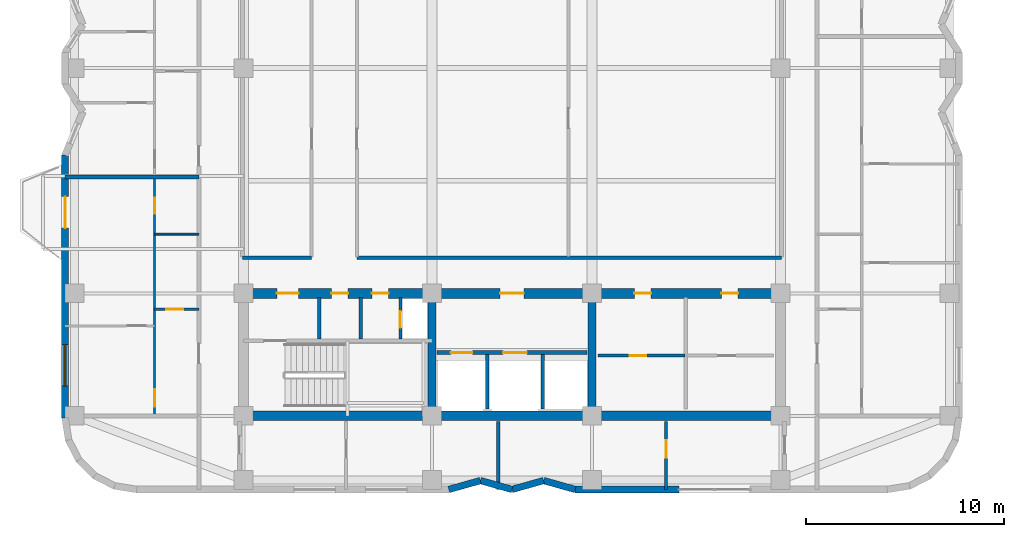
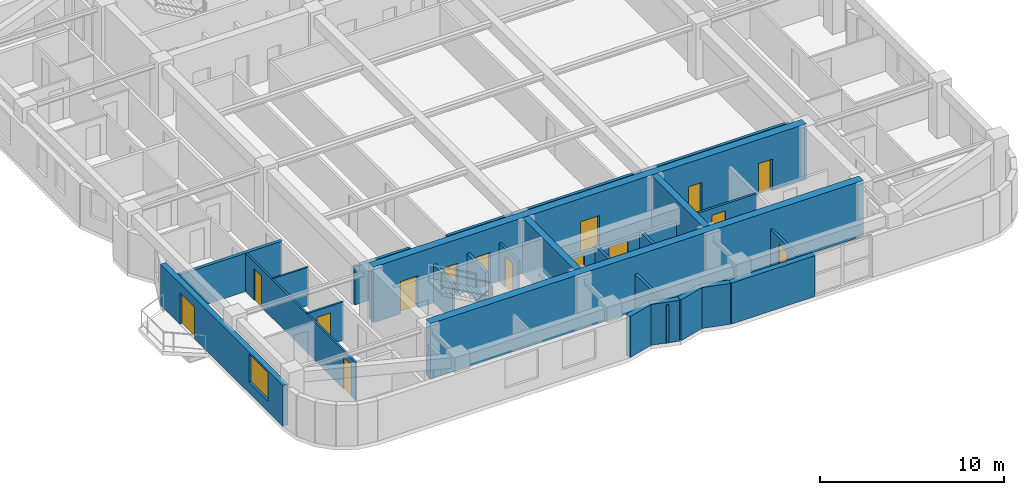
# One storey, part 5 of 12: 25 walls, 15 doors, 1 window, 16 openings.
"""IFC4 building model written with IfcOpenShell, lengths in metres."""

import ifcopenshell
import ifcopenshell.guid

model = None  # the IFC model being written
_history = None  # IfcOwnerHistory: only IFC2X3 demands one
_inside = {}  # id of a spatial element -> (the spatial element, [elements in it])
_under = {}  # id of a project, library or spatial element -> (it, [spatial elements below it])
_declared = {}  # id of a project -> (the project, [libraries it declares])
_typed = {}  # id of a type object -> (the type object, [elements of that type])
_made_of = {}  # id of a material, layer set ... -> (it, [elements and type objects made of it])


def new_model(schema):
    """Start an empty IFC model of exactly this schema.

    Asked for "IFC4X3", IfcOpenShell would pick the latest addendum, in which some entities
    have other attributes; the version numbers below select the first issue.
    IFC2X3 requires an IfcOwnerHistory on every rooted entity: one is made here for all.
    """
    global model, _history
    if schema == "IFC4X3":
        model = ifcopenshell.file(schema_version=(4, 3, 0, 0))
    else:
        model = ifcopenshell.file(schema=schema)
    _inside.clear()
    _under.clear()
    _declared.clear()
    _typed.clear()
    _made_of.clear()
    _history = None
    if model.schema == "IFC2X3":
        org = make("IfcOrganization", Name="unknown")
        user = make(
            "IfcPersonAndOrganization",
            ThePerson=make("IfcPerson", FamilyName="unknown"),
            TheOrganization=org,
        )
        app = make(
            "IfcApplication",
            ApplicationDeveloper=org,
            Version="unknown",
            ApplicationFullName="unknown",
            ApplicationIdentifier="unknown",
        )
        _history = make(
            "IfcOwnerHistory",
            OwningUser=user,
            OwningApplication=app,
            ChangeAction="ADDED",
            CreationDate=0,
        )
    return model


def make(cls, **values):
    """One entity of the class cls with the attributes given. An attribute that is None is left unset."""
    return model.create_entity(
        cls, **{name: value for name, value in values.items() if value is not None}
    )


def rooted(cls, **values):
    """An entity with a GlobalId (a new one), such as an element, a storey or a relation."""
    return make(cls, GlobalId=ifcopenshell.guid.new(), OwnerHistory=_history, **values)


def si_unit(unit_type, name, prefix=None):
    """IfcSIUnit, for example si_unit("LENGTHUNIT", "METRE", prefix="MILLI")."""
    return make("IfcSIUnit", UnitType=unit_type, Prefix=prefix, Name=name)


def assignment(units):
    """IfcUnitAssignment: the units of a project."""
    return None if units is None else make("IfcUnitAssignment", Units=units)


def point(xyz):
    """IfcCartesianPoint."""
    return None if xyz is None else make("IfcCartesianPoint", Coordinates=xyz)


def direction(xyz):
    """IfcDirection."""
    return None if xyz is None else make("IfcDirection", DirectionRatios=xyz)


def frame(location, z_axis=None, x_axis=None):
    """IfcAxis2Placement3D, a coordinate frame: its origin and axes. An axis left out is left unset."""
    return make(
        "IfcAxis2Placement3D",
        Location=point(location),
        Axis=direction(z_axis),
        RefDirection=direction(x_axis),
    )


def frame_2d(location, x_axis=None):
    """IfcAxis2Placement2D, a coordinate frame in the plane: its origin and x axis."""
    return make(
        "IfcAxis2Placement2D", Location=point(location), RefDirection=direction(x_axis)
    )


def origin():
    """The frame at (0, 0, 0) with its axes left unset."""
    return frame((0.0, 0.0, 0.0))


def place(relative_to, where):
    """IfcLocalPlacement: puts the frame where relative to a parent placement (None: the world)."""
    return make(
        "IfcLocalPlacement", PlacementRelTo=relative_to, RelativePlacement=where
    )


def context(
    kind, dimensions, precision=None, world=None, true_north=None, identifier=None
):
    """IfcGeometricRepresentationContext, for example the 3D "Model" context."""
    return make(
        "IfcGeometricRepresentationContext",
        ContextIdentifier=identifier,
        ContextType=kind,
        CoordinateSpaceDimension=dimensions,
        Precision=precision,
        WorldCoordinateSystem=world,
        TrueNorth=true_north,
    )


def subcontext(parent, identifier, kind, view, scale=None):
    """IfcGeometricRepresentationSubContext, for example "Body" below "Model"."""
    return make(
        "IfcGeometricRepresentationSubContext",
        ContextIdentifier=identifier,
        ContextType=kind,
        ParentContext=parent,
        TargetScale=scale,
        TargetView=view,
    )


def project(units=None, contexts=None):
    """IfcProject with its units and contexts."""
    return rooted(
        "IfcProject",
        Name="project",
        RepresentationContexts=contexts,
        UnitsInContext=assignment(units),
    )


def spatial(cls, under=None, at=None, **own):
    """A site, building, storey or space (cls), placed at a placement, below another one or the project."""
    s = rooted(cls, ObjectPlacement=at, **own)
    if under is not None:
        _under.setdefault(under.id(), (under, []))[1].append(s)
    return s


def profile(cls, at=None, kind="AREA", **sizes):
    """A parametric profile (cls). Its sizes go by their IFC names, for example OverallWidth=200.0."""
    return make(cls, ProfileType=kind, Position=at, **sizes)


def rectangle(**sizes):
    """IfcRectangleProfileDef."""
    return profile("IfcRectangleProfileDef", **sizes)


def extrude(swept, where, along, depth):
    """IfcExtrudedAreaSolid: the profile swept, set in the frame where, extruded along a direction by depth."""
    return make(
        "IfcExtrudedAreaSolid",
        SweptArea=swept,
        Position=where,
        ExtrudedDirection=direction(along),
        Depth=depth,
    )


def shape(context_of_items, identifier, shape_type, items):
    """IfcShapeRepresentation: the items that make up one representation, for example the "Body"."""
    return make(
        "IfcShapeRepresentation",
        ContextOfItems=context_of_items,
        RepresentationIdentifier=identifier,
        RepresentationType=shape_type,
        Items=items,
    )


def material(Name=None, Category=None):
    """IfcMaterial."""
    return make("IfcMaterial", Name=Name, Category=Category)


def layer(
    of_material, thickness, ventilated=None, Name=None, Category=None, Priority=None
):
    """IfcMaterialLayer: one layer of a wall or slab, of a material (None: an air gap)."""
    return make(
        "IfcMaterialLayer",
        Material=of_material,
        LayerThickness=thickness,
        IsVentilated=ventilated,
        Name=Name,
        Category=Category,
        Priority=Priority,
    )


def layer_set(layers, Name=None):
    """IfcMaterialLayerSet."""
    return make("IfcMaterialLayerSet", MaterialLayers=layers, LayerSetName=Name)


def made_of(thing, what):
    """Note that an element or type object is made of a material, layer set ...; save() writes the relation."""
    if what is not None:
        _made_of.setdefault(what.id(), (what, []))[1].append(thing)
    return thing


def type_object(cls, material=None, **own):
    """A type object (cls), such as IfcWallType, which elements share."""
    return made_of(rooted(cls, **own), material)


def element(
    cls,
    number,
    at=None,
    inside=None,
    cuts=None,
    type_object=None,
    material=None,
    context=None,
    identifier="Body",
    shape_type=None,
    held_by="IfcProductDefinitionShape",
    body=None,
    shapes=None,
    **own,
):
    """One element of the class cls, such as IfcWall. Its Tag is "e" and its number.

    at: its placement. inside: the storey or other place that contains it. cuts: it is an
    opening in that element (IfcRelVoidsElement). A single representation is given by context,
    identifier, shape_type and body (its items); several are given by shapes. held_by: the class
    of the entity that holds the representations. save() writes the other relations.
    """
    e = rooted(cls, Tag="e%d" % number, ObjectPlacement=at, **own)
    if body is not None:
        shapes = [shape(context, identifier, shape_type, body)]
    if shapes is not None:
        e.Representation = make(held_by, Representations=shapes)
    if inside is not None:
        _inside.setdefault(inside.id(), (inside, []))[1].append(e)
    if cuts is not None:
        rooted(
            "IfcRelVoidsElement", RelatingBuildingElement=cuts, RelatedOpeningElement=e
        )
    if type_object is not None:
        _typed.setdefault(type_object.id(), (type_object, []))[1].append(e)
    return made_of(e, material)


def fill(opening, filler):
    """IfcRelFillsElement: the door or window that sits in an opening."""
    return rooted(
        "IfcRelFillsElement",
        RelatingOpeningElement=opening,
        RelatedBuildingElement=filler,
    )


def aggregate(whole, parts):
    """IfcRelAggregates: a whole, such as a stair, and the parts it consists of."""
    return rooted("IfcRelAggregates", RelatingObject=whole, RelatedObjects=parts)


def save(model, path):
    """Write the relations noted so far, then the file.

    IfcRelAggregates (storeys below a building ...), IfcRelContainedInSpatialStructure (elements
    in a storey), IfcRelDefinesByType, IfcRelAssociatesMaterial and IfcRelDeclares: one each for
    every whole, place, type object, material and project.
    """
    for whole, parts in _under.values():
        aggregate(whole, parts)
    for where, things in _inside.values():
        rooted(
            "IfcRelContainedInSpatialStructure",
            RelatedElements=things,
            RelatingStructure=where,
        )
    for kind, things in _typed.values():
        rooted("IfcRelDefinesByType", RelatedObjects=things, RelatingType=kind)
    for what, things in _made_of.values():
        rooted("IfcRelAssociatesMaterial", RelatedObjects=things, RelatingMaterial=what)
    for by, libraries in _declared.values():
        rooted("IfcRelDeclares", RelatingContext=by, RelatedDefinitions=libraries)
    model.write(path)


model = new_model("IFC4")

# Units and contexts
model_context = context("Model", 3, precision=1e-05, world=origin(), true_north=direction((0.0, 1.0)))
body_context = subcontext(model_context, "Body", "Model", "MODEL_VIEW")
ifc_project = project(units=[si_unit("LENGTHUNIT", "METRE"), si_unit("AREAUNIT", "SQUARE_METRE"), si_unit("VOLUMEUNIT", "CUBIC_METRE"), si_unit("PLANEANGLEUNIT", "RADIAN"), si_unit("MASSUNIT", "GRAM", prefix="KILO")], contexts=[model_context])

# Site, building, storey
site_placement = place(None, origin())
site = spatial("IfcSite", under=ifc_project, at=site_placement, CompositionType="ELEMENT")
building_placement = place(site_placement, origin())
building = spatial("IfcBuilding", under=site, at=building_placement, Name="Svetorya Sky Lyceum", CompositionType="ELEMENT")
storey_placement = place(building_placement, frame((0.0, 0.0, 158.89990234375)))
storey = spatial("IfcBuildingStorey", under=building, at=storey_placement, Name="L39", CompositionType="ELEMENT", Elevation=158.89990234375)

# Walls
ifc_material_1 = material(Name="Concrete C40/50", Category="concrete")
ifc_layer_1 = layer(ifc_material_1, 0.39990234375)
ifc_layer_set_1 = layer_set([ifc_layer_1], Name="Concrete C40/50")
wall_type_1 = type_object("IfcWallType", Name="WL-CORE-400", PredefinedType="SHEAR", material=ifc_layer_set_1)
for number, where, z_axis, x_axis, name in (
    (1, (35.14990234375, 10.85009765625, 0.0), (0.0, 0.0, 1.0), (0.0, 1.0, 0.0), "L39 SC Internal Shear Web WEB1"),
    (2, (43.25, 10.85009765625, 0.0), (0.0, 0.0, 1.0), (0.0, 1.0, 0.0), "L39 SC Internal Shear Web WEB2"),
):
    element("IfcWall", number, at=place(storey_placement, frame(where, z_axis=z_axis, x_axis=x_axis)), inside=storey, type_object=wall_type_1, Name=name, PredefinedType="SHEAR", context=body_context, shape_type="SweptSolid", body=[
        extrude(rectangle(XDim=5.699951171875, YDim=0.39990234375, at=frame_2d((2.85009765625, 0.0))), origin(), (0.0, 0.0, 1.0), 3.7001953125),
    ])
ifc_material_2 = material(Name="Concrete C50/60", Category="concrete")
ifc_layer_2 = layer(ifc_material_2, 0.5)
ifc_layer_set_2 = layer_set([ifc_layer_2], Name="Concrete C50/60")
wall_type_2 = type_object("IfcWallType", Name="WL-CORE-500", PredefinedType="SHEAR", material=ifc_layer_set_2)
wall_1_placement = place(storey_placement, frame((52.800048828125, 10.60009765625, 0.0), z_axis=(0.0, 0.0, 1.0), x_axis=(-1.0, 0.0, 0.0)))
element("IfcWall", 3, at=wall_1_placement, inside=storey, type_object=wall_type_2, Name="L39 SC Outer Core Shear Wall", PredefinedType="SHEAR", context=body_context, shape_type="SweptSolid", body=[
    extrude(rectangle(XDim=27.199951171875, YDim=0.5, at=frame_2d((13.60009765625, 0.0))), origin(), (0.0, 0.0, 1.0), 3.7001953125),
])

# Wall, openings, doors
wall_2_placement = place(storey_placement, frame((25.60009765625, 16.800048828125, 0.0), z_axis=(0.0, 0.0, 1.0), x_axis=(1.0, 0.0, 0.0)))
wall_2 = element("IfcWall", 4, at=wall_2_placement, inside=storey, type_object=wall_type_2, Name="L39 SC Inner Core Shear Wall", PredefinedType="SHEAR", context=body_context, shape_type="SweptSolid", body=[
    extrude(rectangle(XDim=27.199951171875, YDim=0.5, at=frame_2d((13.60009765625, 0.0))), origin(), (0.0, 0.0, 1.0), 3.7001953125),
])
opening_1_placement = place(wall_2_placement, frame((1.699951171875, 0.0, 0.0)))
opening_1 = element("IfcOpeningElement", 5, at=opening_1_placement, cuts=wall_2, Name="Opening D-ST1", PredefinedType="OPENING", context=body_context, shape_type="SweptSolid", body=[
    extrude(rectangle(XDim=1.10009765625, YDim=2.14990234375, at=frame_2d((0.550048828125, 1.074951171875))), frame((0.0, 0.260009765625, 0.0), z_axis=(0.0, -1.0, 0.0), x_axis=(1.0, 0.0, 0.0)), (0.0, 0.0, 1.0), 0.52001953125),
])
opening_2_placement = place(wall_2_placement, frame((4.449951171875, 0.0, 0.0)))
opening_2 = element("IfcOpeningElement", 6, at=opening_2_placement, cuts=wall_2, Name="Opening D-CWC1", PredefinedType="OPENING", context=body_context, shape_type="SweptSolid", body=[
    extrude(rectangle(XDim=0.85009765625, YDim=2.10009765625, at=frame_2d((0.425048828125, 1.050048828125))), frame((0.0, 0.260009765625, 0.0), z_axis=(0.0, -1.0, 0.0), x_axis=(1.0, 0.0, 0.0)), (0.0, 0.0, 1.0), 0.52001953125),
])
opening_3_placement = place(wall_2_placement, frame((6.5, 0.0, 0.0)))
opening_3 = element("IfcOpeningElement", 7, at=opening_3_placement, cuts=wall_2, Name="Opening D-CWC1", PredefinedType="OPENING", context=body_context, shape_type="SweptSolid", body=[
    extrude(rectangle(XDim=0.85009765625, YDim=2.10009765625, at=frame_2d((0.425048828125, 1.050048828125))), frame((0.0, 0.260009765625, 0.0), z_axis=(0.0, -1.0, 0.0), x_axis=(1.0, 0.0, 0.0)), (0.0, 0.0, 1.0), 0.52001953125),
])
opening_4_placement = place(wall_2_placement, frame((13.0, 0.0, 0.0)))
opening_4 = element("IfcOpeningElement", 8, at=opening_4_placement, cuts=wall_2, Name="Opening D-FL1", PredefinedType="OPENING", context=body_context, shape_type="SweptSolid", body=[
    extrude(rectangle(XDim=1.199951171875, YDim=2.14990234375, at=frame_2d((0.60009765625, 1.074951171875))), frame((0.0, 0.260009765625, 0.0), z_axis=(0.0, -1.0, 0.0), x_axis=(1.0, 0.0, 0.0)), (0.0, 0.0, 1.0), 0.52001953125),
])
opening_5_placement = place(wall_2_placement, frame((19.800048828125, 0.0, 0.0)))
opening_5 = element("IfcOpeningElement", 9, at=opening_5_placement, cuts=wall_2, Name="Opening D-CWC1", PredefinedType="OPENING", context=body_context, shape_type="SweptSolid", body=[
    extrude(rectangle(XDim=0.85009765625, YDim=2.10009765625, at=frame_2d((0.425048828125, 1.050048828125))), frame((0.0, 0.260009765625, 0.0), z_axis=(0.0, -1.0, 0.0), x_axis=(1.0, 0.0, 0.0)), (0.0, 0.0, 1.0), 0.52001953125),
])
opening_6_placement = place(wall_2_placement, frame((24.199951171875, 0.0, 0.0)))
opening_6 = element("IfcOpeningElement", 10, at=opening_6_placement, cuts=wall_2, Name="Opening D-CWC1", PredefinedType="OPENING", context=body_context, shape_type="SweptSolid", body=[
    extrude(rectangle(XDim=0.85009765625, YDim=2.10009765625, at=frame_2d((0.425048828125, 1.050048828125))), frame((0.0, 0.260009765625, 0.0), z_axis=(0.0, -1.0, 0.0), x_axis=(1.0, 0.0, 0.0)), (0.0, 0.0, 1.0), 0.52001953125),
])
ifc_material_3 = material(Name="Fire-rated galvanized steel core service closet door", Category="steel")
door_type_1 = type_object("IfcDoorType", Name="DR-CWET-850", OperationType="SINGLE_SWING_LEFT", PredefinedType="DOOR", material=ifc_material_3)
door_1_placement = place(opening_2_placement, origin())
door_1 = element("IfcDoor", 11, at=door_1_placement, inside=storey, type_object=door_type_1, Name="L39 South Mop Closet Door", OperationType="SINGLE_SWING_LEFT", OverallHeight=2.10009765625, OverallWidth=0.85009765625, PredefinedType="DOOR", context=body_context, shape_type="SweptSolid", body=[
    extrude(rectangle(XDim=0.85009765625, YDim=2.10009765625, at=frame_2d((0.425048828125, 1.050048828125))), frame((0.0, 0.02490234375, 0.0), z_axis=(0.0, -1.0, 0.0), x_axis=(1.0, 0.0, 0.0)), (0.0, 0.0, 1.0), 0.050048828125),
])
fill(opening_2, door_1)
door_2_placement = place(opening_3_placement, origin())
door_2 = element("IfcDoor", 12, at=door_2_placement, inside=storey, type_object=door_type_1, Name="L39 South West WC Door", OperationType="SINGLE_SWING_RIGHT", OverallHeight=2.10009765625, OverallWidth=0.85009765625, PredefinedType="DOOR", context=body_context, shape_type="SweptSolid", body=[
    extrude(rectangle(XDim=0.85009765625, YDim=2.10009765625, at=frame_2d((0.425048828125, 1.050048828125))), frame((0.0, 0.02490234375, 0.0), z_axis=(0.0, -1.0, 0.0), x_axis=(1.0, 0.0, 0.0)), (0.0, 0.0, 1.0), 0.050048828125),
])
fill(opening_3, door_2)
door_3_placement = place(opening_5_placement, origin())
door_3 = element("IfcDoor", 13, at=door_3_placement, inside=storey, type_object=door_type_1, Name="L39 Housekeeping Door", OperationType="SINGLE_SWING_LEFT", OverallHeight=2.10009765625, OverallWidth=0.85009765625, PredefinedType="DOOR", context=body_context, shape_type="SweptSolid", body=[
    extrude(rectangle(XDim=0.85009765625, YDim=2.10009765625, at=frame_2d((0.425048828125, 1.050048828125))), frame((0.0, 0.02490234375, 0.0), z_axis=(0.0, -1.0, 0.0), x_axis=(1.0, 0.0, 0.0)), (0.0, 0.0, 1.0), 0.050048828125),
])
fill(opening_5, door_3)
door_4_placement = place(opening_6_placement, origin())
door_4 = element("IfcDoor", 14, at=door_4_placement, inside=storey, type_object=door_type_1, Name="L39 South WC Door", OperationType="SINGLE_SWING_RIGHT", OverallHeight=2.10009765625, OverallWidth=0.85009765625, PredefinedType="DOOR", context=body_context, shape_type="SweptSolid", body=[
    extrude(rectangle(XDim=0.85009765625, YDim=2.10009765625, at=frame_2d((0.425048828125, 1.050048828125))), frame((0.0, 0.02490234375, 0.0), z_axis=(0.0, -1.0, 0.0), x_axis=(1.0, 0.0, 0.0)), (0.0, 0.0, 1.0), 0.050048828125),
])
fill(opening_6, door_4)
ifc_material_4 = material(Name="Powder-coated insulated galvanized stair fire door")
door_type_2 = type_object("IfcDoorType", Name="DR-FIRE-1100", OperationType="SINGLE_SWING_LEFT", PredefinedType="DOOR", material=ifc_material_4)
door_5_placement = place(opening_1_placement, origin())
door_5 = element("IfcDoor", 15, at=door_5_placement, inside=storey, type_object=door_type_2, Name="L39 South Stair Airlock Door", OperationType="SINGLE_SWING_RIGHT", OverallHeight=2.14990234375, OverallWidth=1.10009765625, PredefinedType="DOOR", context=body_context, shape_type="SweptSolid", body=[
    extrude(rectangle(XDim=1.10009765625, YDim=2.14990234375, at=frame_2d((0.550048828125, 1.074951171875))), frame((0.0, 0.02490234375, 0.0), z_axis=(0.0, -1.0, 0.0), x_axis=(1.0, 0.0, 0.0)), (0.0, 0.0, 1.0), 0.050048828125),
])
fill(opening_1, door_5)
ifc_material_5 = material(Name="Powder-coated insulated galvanized fire door")
door_type_3 = type_object("IfcDoorType", Name="DR-FIRE-1200", OperationType="SINGLE_SWING_LEFT", PredefinedType="DOOR", material=ifc_material_5)
door_6_placement = place(opening_4_placement, origin())
door_6 = element("IfcDoor", 16, at=door_6_placement, inside=storey, type_object=door_type_3, Name="L39 South Firefighting Lift Lobby Door", OperationType="SINGLE_SWING_LEFT", OverallHeight=2.14990234375, OverallWidth=1.199951171875, PredefinedType="DOOR", context=body_context, shape_type="SweptSolid", body=[
    extrude(rectangle(XDim=1.199951171875, YDim=2.14990234375, at=frame_2d((0.60009765625, 1.074951171875))), frame((0.0, 0.02490234375, 0.0), z_axis=(0.0, -1.0, 0.0), x_axis=(1.0, 0.0, 0.0)), (0.0, 0.0, 1.0), 0.050048828125),
])
fill(opening_4, door_6)

# Walls
ifc_material_6 = material(Name="Putilovo limestone rainscreen on autoclaved cellular masonry", Category="masonry")
ifc_layer_3 = layer(ifc_material_6, 0.340087890625)
ifc_layer_set_3 = layer_set([ifc_layer_3], Name="Putilovo limestone rainscreen on autoclaved cellular masonry")
wall_type_3 = type_object("IfcWallType", Name="WL-EXT-340", PredefinedType="SOLIDWALL", material=ifc_layer_set_3)
wall_3_placement = place(storey_placement, frame((36.0, 6.8701171875, 0.0), z_axis=(0.0, 0.0, 1.0), x_axis=(0.962662902433, 0.270703040766, 0.0)))
element("IfcWall", 17, at=wall_3_placement, inside=storey, type_object=wall_type_3, Name="L39 Limestone Exterior Wall 7M", PredefinedType="SOLIDWALL", context=body_context, shape_type="SweptSolid", body=[
    extrude(rectangle(XDim=1.662109375, YDim=0.340087890625, at=frame_2d((0.8310546875, 0.0))), origin(), (0.0, 0.0, 1.0), 2.72021484375),
])
wall_4_placement = place(storey_placement, frame((37.60009765625, 7.320068359375, 0.0), z_axis=(0.0, 0.0, 1.0), x_axis=(0.962652136636, -0.270741322725, 0.0)))
element("IfcWall", 18, at=wall_4_placement, inside=storey, type_object=wall_type_3, Name="L39 Limestone Exterior Wall 8M", PredefinedType="SOLIDWALL", context=body_context, shape_type="SweptSolid", body=[
    extrude(rectangle(XDim=1.661865234375, YDim=0.340087890625, at=frame_2d((0.8310546875, 0.0))), origin(), (0.0, 0.0, 1.0), 2.72021484375),
])
wall_5_placement = place(storey_placement, frame((39.199951171875, 6.8701171875, 0.0), z_axis=(0.0, 0.0, 1.0), x_axis=(0.962662902433, 0.270703040766, 0.0)))
element("IfcWall", 19, at=wall_5_placement, inside=storey, type_object=wall_type_3, Name="L39 Limestone Exterior Wall 9M", PredefinedType="SOLIDWALL", context=body_context, shape_type="SweptSolid", body=[
    extrude(rectangle(XDim=1.662109375, YDim=0.340087890625, at=frame_2d((0.8310546875, 0.0))), origin(), (0.0, 0.0, 1.0), 2.72021484375),
])
wall_6_placement = place(storey_placement, frame((40.800048828125, 7.320068359375, 0.0), z_axis=(0.0, 0.0, 1.0), x_axis=(0.962652136636, -0.270741322725, 0.0)))
element("IfcWall", 20, at=wall_6_placement, inside=storey, type_object=wall_type_3, Name="L39 Limestone Exterior Wall 10M", PredefinedType="SOLIDWALL", context=body_context, shape_type="SweptSolid", body=[
    extrude(rectangle(XDim=1.661865234375, YDim=0.340087890625, at=frame_2d((0.8310546875, 0.0))), origin(), (0.0, 0.0, 1.0), 2.72021484375),
])
wall_7_placement = place(storey_placement, frame((42.39990234375, 6.8701171875, 0.0), z_axis=(0.0, 0.0, 1.0), x_axis=(1.0, 0.0, 0.0)))
element("IfcWall", 21, at=wall_7_placement, inside=storey, type_object=wall_type_3, Name="L39 Limestone Exterior Wall 11A", PredefinedType="SOLIDWALL", context=body_context, shape_type="SweptSolid", body=[
    extrude(rectangle(XDim=5.25, YDim=0.340087890625, at=frame_2d((2.625, 0.0))), origin(), (0.0, 0.0, 1.0), 2.72021484375),
])

# Wall, openings, door, window
wall_8_placement = place(storey_placement, frame((16.570068359375, 23.800048828125, 0.0), z_axis=(0.0, 0.0, 1.0), x_axis=(0.0, -1.0, 0.0)))
wall_8 = element("IfcWall", 22, at=wall_8_placement, inside=storey, type_object=wall_type_3, Name="L39 Limestone Exterior Wall 46M", PredefinedType="SOLIDWALL", context=body_context, shape_type="SweptSolid", body=[
    extrude(rectangle(XDim=13.300048828125, YDim=0.340087890625, at=frame_2d((6.64990234375, 0.0))), origin(), (0.0, 0.0, 1.0), 2.72021484375),
])
opening_7_placement = place(wall_8_placement, frame((2.10009765625, 0.0, 0.0)))
opening_7 = element("IfcOpeningElement", 23, at=opening_7_placement, cuts=wall_8, Name="Opening D-BL1", PredefinedType="OPENING", context=body_context, shape_type="SweptSolid", body=[
    extrude(rectangle(XDim=1.60009765625, YDim=2.10009765625, at=frame_2d((0.800048828125, 1.050048828125))), frame((0.0, 0.179931640625, 0.0), z_axis=(0.0, -1.0, 0.0), x_axis=(1.0, 0.0, 0.0)), (0.0, 0.0, 1.0), 0.360107421875),
])
opening_8_placement = place(wall_8_placement, frame((9.60009765625, 0.0, 0.699951171875)))
opening_8 = element("IfcOpeningElement", 24, at=opening_8_placement, cuts=wall_8, Name="Opening W-R0", PredefinedType="OPENING", context=body_context, shape_type="SweptSolid", body=[
    extrude(rectangle(XDim=2.10009765625, YDim=1.89990234375, at=frame_2d((1.050048828125, 0.949951171875))), frame((0.0, 0.179931640625, 0.0), z_axis=(0.0, -1.0, 0.0), x_axis=(1.0, 0.0, 0.0)), (0.0, 0.0, 1.0), 0.360107421875),
])
ifc_material_7 = material(Name="Insulated glazed aluminium balcony door", Category="aluminium")
door_type_4 = type_object("IfcDoorType", Name="DR-BAL-1600", OperationType="DOUBLE_DOOR_SINGLE_SWING", PredefinedType="DOOR", material=ifc_material_7)
door_7_placement = place(opening_7_placement, origin())
door_7 = element("IfcDoor", 25, at=door_7_placement, inside=storey, type_object=door_type_4, Name="L39 Balcony BAL-W1 Door", OperationType="DOUBLE_DOOR_SINGLE_SWING", OverallHeight=2.10009765625, OverallWidth=1.60009765625, PredefinedType="DOOR", context=body_context, shape_type="SweptSolid", body=[
    extrude(rectangle(XDim=1.60009765625, YDim=2.10009765625, at=frame_2d((0.800048828125, 1.050048828125))), frame((0.0, 0.02490234375, 0.0), z_axis=(0.0, -1.0, 0.0), x_axis=(1.0, 0.0, 0.0)), (0.0, 0.0, 1.0), 0.050048828125),
])
fill(opening_7, door_7)
ifc_material_8 = material(Name="Thermally broken aluminium frame with triple low-E glazing", Category="aluminium")
window_type = type_object("IfcWindowType", Name="WN-RES-210", PartitioningType="TRIPLE_PANEL_VERTICAL", PredefinedType="WINDOW", material=ifc_material_8)
window_placement = place(opening_8_placement, origin())
window = element("IfcWindow", 26, at=window_placement, inside=storey, type_object=window_type, Name="L39 Facade Window W-R0.46M.1", OverallHeight=1.89990234375, OverallWidth=2.10009765625, PartitioningType="SINGLE_PANEL", PredefinedType="WINDOW", context=body_context, shape_type="SweptSolid", body=[
    extrude(rectangle(XDim=2.10009765625, YDim=1.89990234375, at=frame_2d((1.050048828125, 0.949951171875))), frame((0.0, 0.030029296875, 0.0), z_axis=(0.0, -1.0, 0.0), x_axis=(1.0, 0.0, 0.0)), (0.0, 0.0, 1.0), 0.06005859375),
])
fill(opening_8, window)

# Wall
ifc_material_9 = material(Name="Galvanized stud partition with moisture-resistant board", Category="gypsum")
ifc_layer_4 = layer(ifc_material_9, 0.10009765625)
ifc_layer_set_4 = layer_set([ifc_layer_4], Name="Galvanized stud partition with moisture-resistant board")
wall_type_4 = type_object("IfcWallType", Name="WL-PART-100", PredefinedType="PARTITIONING", material=ifc_layer_set_4)
wall_9_placement = place(storey_placement, frame((21.10009765625, 19.800048828125, 0.0), z_axis=(0.0, 0.0, 1.0), x_axis=(1.0, 0.0, 0.0)))
element("IfcWall", 27, at=wall_9_placement, inside=storey, type_object=wall_type_4, Name="L39 Interior Partition W1-WH2", PredefinedType="PARTITIONING", context=body_context, shape_type="SweptSolid", body=[
    extrude(rectangle(XDim=2.25, YDim=0.10009765625, at=frame_2d((1.125, 0.0))), origin(), (0.0, 0.0, 1.0), 2.550048828125),
])

# Wall, opening, door
ifc_material_10 = material(Name="Twin-stud galvanized framing with double fireboard", Category="gypsum")
ifc_layer_5 = layer(ifc_material_10, 0.1201171875)
ifc_layer_set_5 = layer_set([ifc_layer_5], Name="Twin-stud galvanized framing with double fireboard")
wall_type_5 = type_object("IfcWallType", Name="WL-PART-120", PredefinedType="PARTITIONING", material=ifc_layer_set_5)
wall_10_placement = place(storey_placement, frame((21.10009765625, 16.0, 0.0), z_axis=(0.0, 0.0, 1.0), x_axis=(1.0, 0.0, 0.0)))
wall_10 = element("IfcWall", 28, at=wall_10_placement, inside=storey, type_object=wall_type_5, Name="L39 Interior Partition W1-WH1", PredefinedType="PARTITIONING", context=body_context, shape_type="SweptSolid", body=[
    extrude(rectangle(XDim=2.25, YDim=0.1201171875, at=frame_2d((1.125, 0.0))), origin(), (0.0, 0.0, 1.0), 2.550048828125),
])
opening_9_placement = place(wall_10_placement, frame((0.60009765625, 0.0, 0.0)))
opening_9 = element("IfcOpeningElement", 29, at=opening_9_placement, cuts=wall_10, Name="Opening D-BT1", PredefinedType="OPENING", context=body_context, shape_type="SweptSolid", body=[
    extrude(rectangle(XDim=0.85009765625, YDim=2.10009765625, at=frame_2d((0.425048828125, 1.050048828125))), frame((0.0, 0.070068359375, 0.0), z_axis=(0.0, -1.0, 0.0), x_axis=(1.0, 0.0, 0.0)), (0.0, 0.0, 1.0), 0.14013671875),
])
ifc_material_11 = material(Name="Moisture-resistant laminate bathroom door")
door_type_5 = type_object("IfcDoorType", Name="DR-WET-850", OperationType="SINGLE_SWING_LEFT", PredefinedType="DOOR", material=ifc_material_11)
door_8_placement = place(opening_9_placement, origin())
door_8 = element("IfcDoor", 30, at=door_8_placement, inside=storey, type_object=door_type_5, Name="Apartment W1 Bathroom Door", OperationType="SINGLE_SWING_LEFT", OverallHeight=2.10009765625, OverallWidth=0.85009765625, PredefinedType="DOOR", context=body_context, shape_type="SweptSolid", body=[
    extrude(rectangle(XDim=0.85009765625, YDim=2.10009765625, at=frame_2d((0.425048828125, 1.050048828125))), frame((0.0, 0.02490234375, 0.0), z_axis=(0.0, -1.0, 0.0), x_axis=(1.0, 0.0, 0.0)), (0.0, 0.0, 1.0), 0.050048828125),
])
fill(opening_9, door_8)

# Wall, openings, doors
wall_11_placement = place(storey_placement, frame((21.10009765625, 10.639892578125, 0.0), z_axis=(0.0, 0.0, 1.0), x_axis=(0.0, 1.0, 0.0)))
wall_11 = element("IfcWall", 31, at=wall_11_placement, inside=storey, type_object=wall_type_5, Name="L39 Interior Partition W1-WV", PredefinedType="PARTITIONING", context=body_context, shape_type="SweptSolid", body=[
    extrude(rectangle(XDim=12.02001953125, YDim=0.1201171875, at=frame_2d((6.010009765625, 0.0))), origin(), (0.0, 0.0, 1.0), 2.550048828125),
])
opening_10_placement = place(wall_11_placement, frame((0.409912109375, 0.0, 0.0)))
opening_10 = element("IfcOpeningElement", 32, at=opening_10_placement, cuts=wall_11, Name="Opening D-RM1", PredefinedType="OPENING", context=body_context, shape_type="SweptSolid", body=[
    extrude(rectangle(XDim=0.89990234375, YDim=2.10009765625, at=frame_2d((0.449951171875, 1.050048828125))), frame((0.0, 0.070068359375, 0.0), z_axis=(0.0, -1.0, 0.0), x_axis=(1.0, 0.0, 0.0)), (0.0, 0.0, 1.0), 0.14013671875),
])
opening_11_placement = place(wall_11_placement, frame((10.18505859375, 0.0, 0.0)))
opening_11 = element("IfcOpeningElement", 33, at=opening_11_placement, cuts=wall_11, Name="Opening D-BT2", PredefinedType="OPENING", context=body_context, shape_type="SweptSolid", body=[
    extrude(rectangle(XDim=0.820068359375, YDim=2.080078125, at=frame_2d((0.41015625, 1.0400390625))), frame((0.0, 0.070068359375, 0.0), z_axis=(0.0, -1.0, 0.0), x_axis=(1.0, 0.0, 0.0)), (0.0, 0.0, 1.0), 0.14013671875),
])
ifc_material_12 = material(Name="Lacquered birch veneer internal door")
door_type_6 = type_object("IfcDoorType", Name="DR-INT-900", OperationType="SINGLE_SWING_LEFT", PredefinedType="DOOR", material=ifc_material_12)
door_9_placement = place(opening_10_placement, origin())
door_9 = element("IfcDoor", 34, at=door_9_placement, inside=storey, type_object=door_type_6, Name="Apartment W1 Living Door", OperationType="SINGLE_SWING_RIGHT", OverallHeight=2.10009765625, OverallWidth=0.89990234375, PredefinedType="DOOR", context=body_context, shape_type="SweptSolid", body=[
    extrude(rectangle(XDim=0.89990234375, YDim=2.10009765625, at=frame_2d((0.449951171875, 1.050048828125))), frame((0.0, 0.02490234375, 0.0), z_axis=(0.0, -1.0, 0.0), x_axis=(1.0, 0.0, 0.0)), (0.0, 0.0, 1.0), 0.050048828125),
])
fill(opening_10, door_9)
ifc_material_13 = material(Name="Compact moisture-resistant laminate closet door")
door_type_7 = type_object("IfcDoorType", Name="DR-WET-820", OperationType="SINGLE_SWING_LEFT", PredefinedType="DOOR", material=ifc_material_13)
door_10_placement = place(opening_11_placement, origin())
door_10 = element("IfcDoor", 35, at=door_10_placement, inside=storey, type_object=door_type_7, Name="Apartment W1 Study Door", OperationType="SINGLE_SWING_LEFT", OverallHeight=2.080078125, OverallWidth=0.820068359375, PredefinedType="DOOR", context=body_context, shape_type="SweptSolid", body=[
    extrude(rectangle(XDim=0.820068359375, YDim=2.080078125, at=frame_2d((0.41015625, 1.0400390625))), frame((0.0, 0.02490234375, 0.0), z_axis=(0.0, -1.0, 0.0), x_axis=(1.0, 0.0, 0.0)), (0.0, 0.0, 1.0), 0.050048828125),
])
fill(opening_11, door_10)

# Wall, opening, door
ifc_material_14 = material(Name="Autoclaved cellular masonry blockwork with acoustic render", Category="masonry")
ifc_layer_6 = layer(ifc_material_14, 0.14990234375)
ifc_layer_set_6 = layer_set([ifc_layer_6], Name="Autoclaved cellular masonry blockwork with acoustic render")
wall_type_6 = type_object("IfcWallType", Name="WL-PART-150", PredefinedType="PARTITIONING", material=ifc_layer_set_6)
wall_12_placement = place(storey_placement, frame((33.550048828125, 14.5, 0.0), z_axis=(0.0, 0.0, 1.0), x_axis=(0.0, 1.0, 0.0)))
wall_12 = element("IfcWall", 36, at=wall_12_placement, inside=storey, type_object=wall_type_6, Name="L39 Interior Partition SC-SWD3", PredefinedType="PARTITIONING", context=body_context, shape_type="SweptSolid", body=[
    extrude(rectangle(XDim=2.080078125, YDim=0.14990234375, at=frame_2d((1.0400390625, 0.0))), origin(), (0.0, 0.0, 1.0), 2.550048828125),
])
opening_12_placement = place(wall_12_placement, frame((0.550048828125, 0.0, 0.0)))
opening_12 = element("IfcOpeningElement", 37, at=opening_12_placement, cuts=wall_12, Name="Opening D-SH1", PredefinedType="OPENING", context=body_context, shape_type="SweptSolid", body=[
    extrude(rectangle(XDim=0.85009765625, YDim=2.050048828125, at=frame_2d((0.425048828125, 1.02490234375))), frame((0.0, 0.0849609375, 0.0), z_axis=(0.0, -1.0, 0.0), x_axis=(1.0, 0.0, 0.0)), (0.0, 0.0, 1.0), 0.169921875),
])
ifc_material_15 = material(Name="Insulated galvanized riser inspection fire door")
door_type_8 = type_object("IfcDoorType", Name="DR-SHFT-850", OperationType="SINGLE_SWING_LEFT", PredefinedType="TRAPDOOR", material=ifc_material_15)
door_11_placement = place(opening_12_placement, origin())
door_11 = element("IfcDoor", 38, at=door_11_placement, inside=storey, type_object=door_type_8, Name="L39 South Riser Access Door", OperationType="SINGLE_SWING_RIGHT", OverallHeight=2.050048828125, OverallWidth=0.85009765625, PredefinedType="TRAPDOOR", context=body_context, shape_type="SweptSolid", body=[
    extrude(rectangle(XDim=0.85009765625, YDim=2.050048828125, at=frame_2d((0.425048828125, 1.02490234375))), frame((0.0, 0.02490234375, 0.0), z_axis=(0.0, -1.0, 0.0), x_axis=(1.0, 0.0, 0.0)), (0.0, 0.0, 1.0), 0.050048828125),
])
fill(opening_12, door_11)

wall_13_placement = place(storey_placement, frame((43.550048828125, 13.64990234375, 0.0), z_axis=(0.0, 0.0, 1.0), x_axis=(1.0, 0.0, 0.0)))
wall_13 = element("IfcWall", 39, at=wall_13_placement, inside=storey, type_object=wall_type_6, Name="L39 Interior Partition SC-LV7-HW", PredefinedType="PARTITIONING", context=body_context, shape_type="SweptSolid", body=[
    extrude(rectangle(XDim=4.39990234375, YDim=0.14990234375, at=frame_2d((2.199951171875, 0.0))), origin(), (0.0, 0.0, 1.0), 2.550048828125),
])
opening_13_placement = place(wall_13_placement, frame((1.60009765625, 0.0, 0.0)))
opening_13 = element("IfcOpeningElement", 40, at=opening_13_placement, cuts=wall_13, Name="Opening D-CWC1", PredefinedType="OPENING", context=body_context, shape_type="SweptSolid", body=[
    extrude(rectangle(XDim=0.85009765625, YDim=2.10009765625, at=frame_2d((0.425048828125, 1.050048828125))), frame((0.0, 0.0849609375, 0.0), z_axis=(0.0, -1.0, 0.0), x_axis=(1.0, 0.0, 0.0)), (0.0, 0.0, 1.0), 0.169921875),
])
door_12_placement = place(opening_13_placement, origin())
door_12 = element("IfcDoor", 41, at=door_12_placement, inside=storey, type_object=door_type_1, Name="L39 South Electrical Room Door", OperationType="SINGLE_SWING_LEFT", OverallHeight=2.10009765625, OverallWidth=0.85009765625, PredefinedType="DOOR", context=body_context, shape_type="SweptSolid", body=[
    extrude(rectangle(XDim=0.85009765625, YDim=2.10009765625, at=frame_2d((0.425048828125, 1.050048828125))), frame((0.0, 0.02490234375, 0.0), z_axis=(0.0, -1.0, 0.0), x_axis=(1.0, 0.0, 0.0)), (0.0, 0.0, 1.0), 0.050048828125),
])
fill(opening_13, door_12)

wall_14_placement = place(storey_placement, frame((47.0, 6.8701171875, 0.0), z_axis=(0.0, 0.0, 1.0), x_axis=(0.0, 1.0, 0.0)))
wall_14 = element("IfcWall", 42, at=wall_14_placement, inside=storey, type_object=wall_type_6, Name="L39 Interior Partition S4-D3", PredefinedType="PARTITIONING", context=body_context, shape_type="SweptSolid", body=[
    extrude(rectangle(XDim=3.429931640625, YDim=0.14990234375, at=frame_2d((1.71484375, 0.0))), origin(), (0.0, 0.0, 1.0), 2.550048828125),
])
opening_14_placement = place(wall_14_placement, frame((1.60009765625, 0.0, 0.0)))
opening_14 = element("IfcOpeningElement", 43, at=opening_14_placement, cuts=wall_14, Name="Opening D-RM1", PredefinedType="OPENING", context=body_context, shape_type="SweptSolid", body=[
    extrude(rectangle(XDim=0.89990234375, YDim=2.10009765625, at=frame_2d((0.449951171875, 1.050048828125))), frame((0.0, 0.0849609375, 0.0), z_axis=(0.0, -1.0, 0.0), x_axis=(1.0, 0.0, 0.0)), (0.0, 0.0, 1.0), 0.169921875),
])
door_13_placement = place(opening_14_placement, origin())
door_13 = element("IfcDoor", 44, at=door_13_placement, inside=storey, type_object=door_type_6, Name="L39 South Suite Door 3", OperationType="SINGLE_SWING_LEFT", OverallHeight=2.10009765625, OverallWidth=0.89990234375, PredefinedType="DOOR", context=body_context, shape_type="SweptSolid", body=[
    extrude(rectangle(XDim=0.89990234375, YDim=2.10009765625, at=frame_2d((0.449951171875, 1.050048828125))), frame((0.0, 0.02490234375, 0.0), z_axis=(0.0, -1.0, 0.0), x_axis=(1.0, 0.0, 0.0)), (0.0, 0.0, 1.0), 0.050048828125),
])
fill(opening_14, door_13)

# Walls
ifc_material_16 = material(Name="Autoclaved cellular masonry blockwork with fire render", Category="masonry")
ifc_layer_7 = layer(ifc_material_16, 0.175048828125)
ifc_layer_set_7 = layer_set([ifc_layer_7], Name="Autoclaved cellular masonry blockwork with fire render")
wall_type_7 = type_object("IfcWallType", Name="WL-PART-175", PredefinedType="PARTITIONING", material=ifc_layer_set_7)
for number, where, z_axis, x_axis, name in (
    (45, (29.449951171875, 14.5, 0.0), (0.0, 0.0, 1.0), (0.0, 1.0, 0.0), "L39 Interior Partition SC-SWD1"),
    (46, (31.550048828125, 14.5, 0.0), (0.0, 0.0, 1.0), (0.0, 1.0, 0.0), "L39 Interior Partition SC-SWD2"),
):
    element("IfcWall", number, at=place(storey_placement, frame(where, z_axis=z_axis, x_axis=x_axis)), inside=storey, type_object=wall_type_7, Name=name, PredefinedType="PARTITIONING", context=body_context, shape_type="SweptSolid", body=[
        extrude(rectangle(XDim=2.080078125, YDim=0.175048828125, at=frame_2d((1.0400390625, 0.0))), origin(), (0.0, 0.0, 1.0), 2.550048828125),
    ])
for number, where, z_axis, x_axis, name in (
    (47, (37.949951171875, 10.949951171875, 0.0), (0.0, 0.0, 1.0), (0.0, 1.0, 0.0), "L39 Interior Partition SC-SHD1"),
    (48, (40.75, 10.949951171875, 0.0), (0.0, 0.0, 1.0), (0.0, 1.0, 0.0), "L39 Interior Partition SC-SHD2"),
):
    element("IfcWall", number, at=place(storey_placement, frame(where, z_axis=z_axis, x_axis=x_axis)), inside=storey, type_object=wall_type_7, Name=name, PredefinedType="PARTITIONING", context=body_context, shape_type="SweptSolid", body=[
        extrude(rectangle(XDim=2.75, YDim=0.175048828125, at=frame_2d((1.375, 0.0))), origin(), (0.0, 0.0, 1.0), 2.550048828125),
    ])
wall_15_placement = place(storey_placement, frame((25.550048828125, 18.60009765625, 0.0), z_axis=(0.0, 0.0, 1.0), x_axis=(1.0, 0.0, 0.0)))
element("IfcWall", 49, at=wall_15_placement, inside=storey, type_object=wall_type_7, Name="L39 Interior Partition OFF-CS-W", PredefinedType="PARTITIONING", context=body_context, shape_type="SweptSolid", body=[
    extrude(rectangle(XDim=3.5, YDim=0.175048828125, at=frame_2d((1.75, 0.0))), origin(), (0.0, 0.0, 1.0), 2.550048828125),
])
wall_16_placement = place(storey_placement, frame((31.35009765625, 18.60009765625, 0.0), z_axis=(0.0, 0.0, 1.0), x_axis=(1.0, 0.0, 0.0)))
element("IfcWall", 50, at=wall_16_placement, inside=storey, type_object=wall_type_7, Name="L39 Interior Partition OFF-CS-E", PredefinedType="PARTITIONING", context=body_context, shape_type="SweptSolid", body=[
    extrude(rectangle(XDim=21.5, YDim=0.175048828125, at=frame_2d((10.75, 0.0))), origin(), (0.0, 0.0, 1.0), 2.550048828125),
])
wall_17_placement = place(storey_placement, frame((38.5, 6.8701171875, 0.0), z_axis=(0.0, 0.0, 1.0), x_axis=(0.0, 1.0, 0.0)))
element("IfcWall", 51, at=wall_17_placement, inside=storey, type_object=wall_type_7, Name="L39 Interior Partition S4-D2", PredefinedType="PARTITIONING", context=body_context, shape_type="SweptSolid", body=[
    extrude(rectangle(XDim=3.429931640625, YDim=0.175048828125, at=frame_2d((1.71484375, 0.0))), origin(), (0.0, 0.0, 1.0), 2.550048828125),
])

# Wall, openings, doors
ifc_material_17 = material(Name="Autoclaved cellular masonry blockwork with gypsum plaster", Category="masonry")
ifc_layer_8 = layer(ifc_material_17, 0.199951171875)
ifc_layer_set_8 = layer_set([ifc_layer_8], Name="Autoclaved cellular masonry blockwork with gypsum plaster")
wall_type_8 = type_object("IfcWallType", Name="WL-PART-200", PredefinedType="PARTITIONING", material=ifc_layer_set_8)
wall_18_placement = place(storey_placement, frame((35.39990234375, 13.800048828125, 0.0), z_axis=(0.0, 0.0, 1.0), x_axis=(1.0, 0.0, 0.0)))
wall_18 = element("IfcWall", 52, at=wall_18_placement, inside=storey, type_object=wall_type_8, Name="L39 Interior Partition SC-FLW", PredefinedType="PARTITIONING", context=body_context, shape_type="SweptSolid", body=[
    extrude(rectangle(XDim=7.60009765625, YDim=0.199951171875, at=frame_2d((3.800048828125, 0.0))), origin(), (0.0, 0.0, 1.0), 2.320068359375),
])
opening_15_placement = place(wall_18_placement, frame((0.699951171875, 0.0, 0.0)))
opening_15 = element("IfcOpeningElement", 53, at=opening_15_placement, cuts=wall_18, Name="Opening LD-FL", PredefinedType="OPENING", context=body_context, shape_type="SweptSolid", body=[
    extrude(rectangle(XDim=1.10009765625, YDim=2.14990234375, at=frame_2d((0.550048828125, 1.074951171875))), frame((0.0, 0.10986328125, 0.0), z_axis=(0.0, -1.0, 0.0), x_axis=(1.0, 0.0, 0.0)), (0.0, 0.0, 1.0), 0.219970703125),
])
opening_16_placement = place(wall_18_placement, frame((3.35009765625, 0.0, 0.0)))
opening_16 = element("IfcOpeningElement", 54, at=opening_16_placement, cuts=wall_18, Name="Opening LD-SV", PredefinedType="OPENING", context=body_context, shape_type="SweptSolid", body=[
    extrude(rectangle(XDim=1.199951171875, YDim=2.14990234375, at=frame_2d((0.60009765625, 1.074951171875))), frame((0.0, 0.10986328125, 0.0), z_axis=(0.0, -1.0, 0.0), x_axis=(1.0, 0.0, 0.0)), (0.0, 0.0, 1.0), 0.219970703125),
])
ifc_material_18 = material(Name="Fire-rated stainless AISI 304 firefighting lift landing door")
door_type_9 = type_object("IfcDoorType", Name="DR-LIFT-1100", OperationType="SLIDING_TO_LEFT", PredefinedType="DOOR", material=ifc_material_18)
door_14_placement = place(opening_15_placement, origin())
door_14 = element("IfcDoor", 55, at=door_14_placement, inside=storey, type_object=door_type_9, Name="L39 Firefighting Lift FL2 Landing Door", OperationType="SLIDING_TO_LEFT", OverallHeight=2.14990234375, OverallWidth=1.10009765625, PredefinedType="DOOR", context=body_context, shape_type="SweptSolid", body=[
    extrude(rectangle(XDim=1.10009765625, YDim=2.14990234375, at=frame_2d((0.550048828125, 1.074951171875))), frame((0.0, 0.02490234375, 0.0), z_axis=(0.0, -1.0, 0.0), x_axis=(1.0, 0.0, 0.0)), (0.0, 0.0, 1.0), 0.050048828125),
])
fill(opening_15, door_14)
ifc_material_19 = material(Name="Brushed stainless AISI 304 telescopic lift landing door")
door_type_10 = type_object("IfcDoorType", Name="DR-LIFT-1200", OperationType="SLIDING_TO_LEFT", PredefinedType="DOOR", material=ifc_material_19)
door_15_placement = place(opening_16_placement, origin())
door_15 = element("IfcDoor", 56, at=door_15_placement, inside=storey, type_object=door_type_10, Name="L39 Service Lift SVL1 Landing Door", OperationType="SLIDING_TO_LEFT", OverallHeight=2.14990234375, OverallWidth=1.199951171875, PredefinedType="DOOR", context=body_context, shape_type="SweptSolid", body=[
    extrude(rectangle(XDim=1.199951171875, YDim=2.14990234375, at=frame_2d((0.60009765625, 1.074951171875))), frame((0.0, 0.02490234375, 0.0), z_axis=(0.0, -1.0, 0.0), x_axis=(1.0, 0.0, 0.0)), (0.0, 0.0, 1.0), 0.050048828125),
])
fill(opening_16, door_15)

# Wall
wall_19_placement = place(storey_placement, frame((16.570068359375, 22.699951171875, 0.0), z_axis=(0.0, 0.0, 1.0), x_axis=(1.0, 0.0, 0.0)))
element("IfcWall", 57, at=wall_19_placement, inside=storey, type_object=wall_type_8, Name="L39 Interior Partition W-PARTY-1", PredefinedType="PARTITIONING", context=body_context, shape_type="SweptSolid", body=[
    extrude(rectangle(XDim=6.780029296875, YDim=0.199951171875, at=frame_2d((3.39013671875, 0.0))), origin(), (0.0, 0.0, 1.0), 2.550048828125),
])

save(model, "model.ifc")
